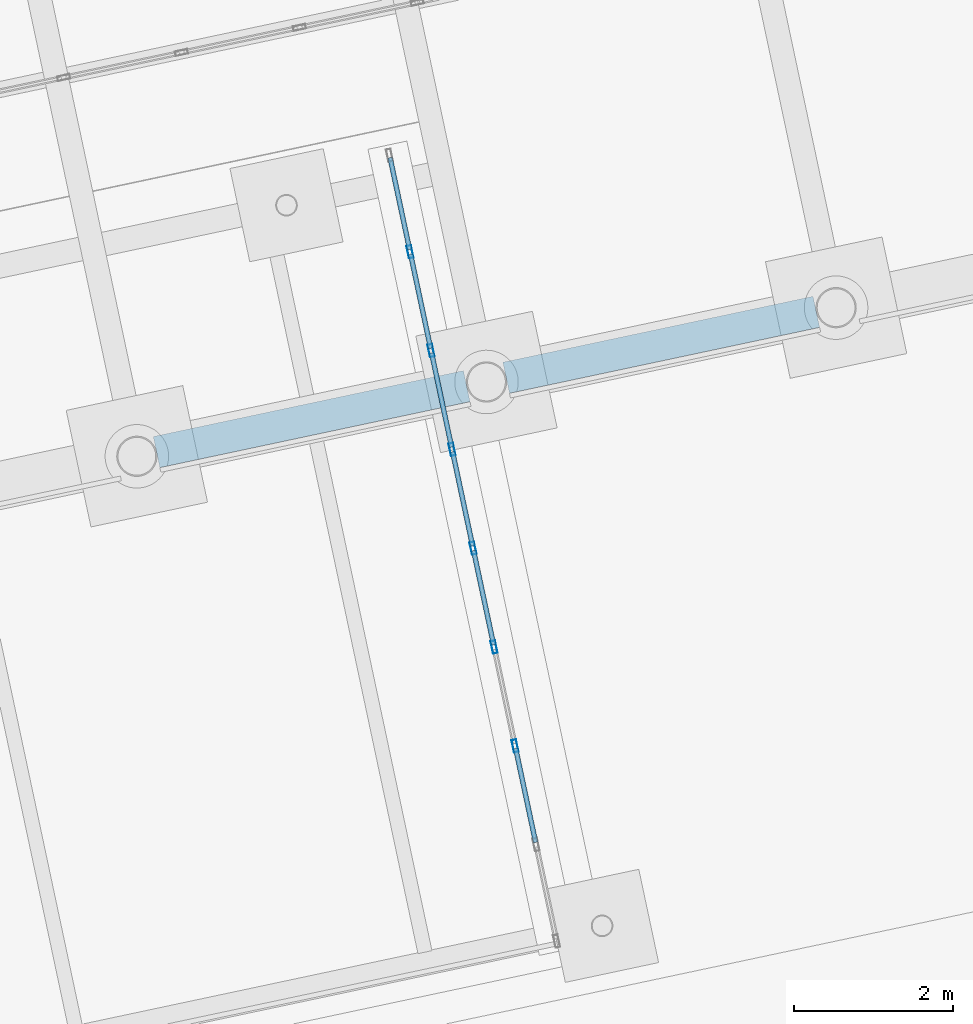
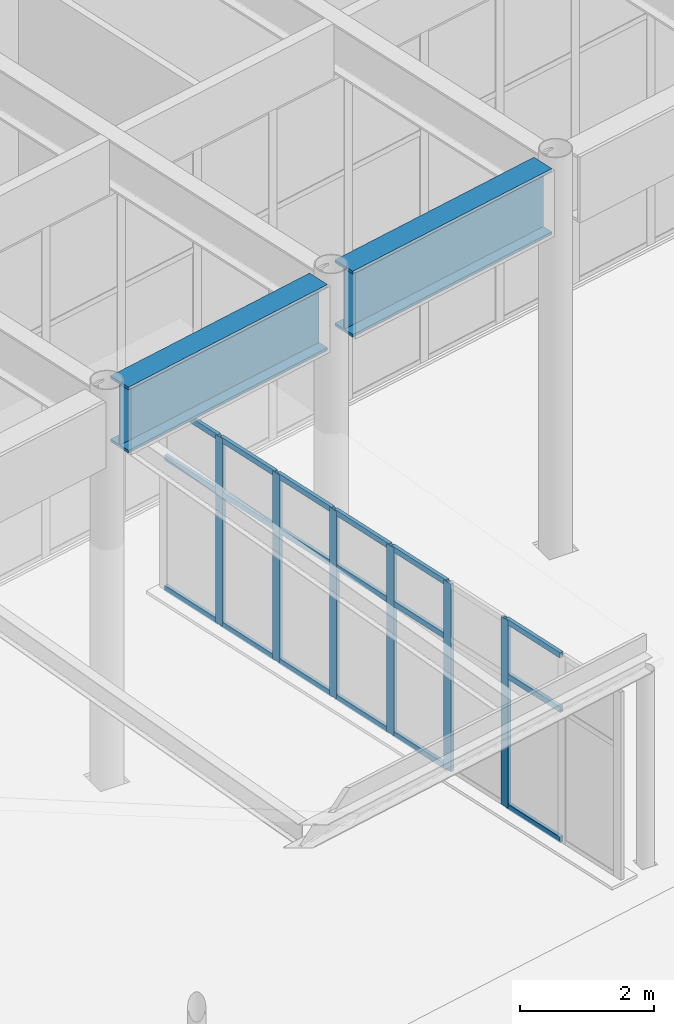
# One storey, part 80 of 239: 24 members, 2 beams, 1 element without a shape of its own.
"""IFC4 building model written with IfcOpenShell, lengths in metres."""

from ifc_helpers import new_model, si_unit, direction, frame, origin, origin_2d, place, context, subcontext, project, spatial, hollow_rectangle, i_section, extrude, material, material_profile, profile_set, type_object, element, aggregate, save


model = new_model("IFC4")

# Units and contexts
model_context = context("Model", 3, precision=1e-05, world=origin(), true_north=direction((0.0, 1.0)))
body_context = subcontext(model_context, "Body", "Model", "MODEL_VIEW")
ifc_project = project(units=[si_unit("LENGTHUNIT", "METRE"), si_unit("AREAUNIT", "SQUARE_METRE"), si_unit("VOLUMEUNIT", "CUBIC_METRE"), si_unit("PLANEANGLEUNIT", "RADIAN"), si_unit("MASSUNIT", "GRAM", prefix="KILO")], contexts=[model_context])

# Site, building, storey
site_placement = place(None, origin())
site = spatial("IfcSite", under=ifc_project, at=site_placement, CompositionType="ELEMENT")
building_placement = place(site_placement, origin())
building = spatial("IfcBuilding", under=site, at=building_placement, Name="Okhra Congress Centre", CompositionType="ELEMENT")
storey_placement = place(building_placement, origin())
storey = spatial("IfcBuildingStorey", under=building, at=storey_placement, Name="L00", CompositionType="ELEMENT", Elevation=0.0)

# Curtain wall, members
ifc_material_1 = material(Name="Aluminium curtain wall, triple glazing", Category="aluminium")
curtain_wall_type = type_object("IfcCurtainWallType", Name="Curtain wall 1200 module", PredefinedType="NOTDEFINED", material=ifc_material_1)
curtain_wall_placement = place(storey_placement, origin())
curtain_wall = element("IfcCurtainWall", 1, at=curtain_wall_placement, inside=storey, type_object=curtain_wall_type, Name="Porch glazed side 2", PredefinedType="NOTDEFINED")
ifc_material_2 = material(Name="Aluminium alloy EN AW-6063 T66", Category="aluminium")
ifc_material_profile_1 = material_profile(ifc_material_2, hollow_rectangle(XDim=0.06005859375, YDim=0.159912109375, WallThickness=0.00390625, at=origin_2d()), Name="RHS 60x160x4")
ifc_profile_set_1 = profile_set([ifc_material_profile_1], Name="Aluminium alloy EN AW-6063 T66")
member_type_1 = type_object("IfcMemberType", Name="Curtain wall mullion 60x160", PredefinedType="MULLION", material=ifc_profile_set_1)
member_1_placement = place(storey_placement, frame((158.2080078125, 42.81103515625, 0.0), z_axis=(0.0, 0.0, 1.0), x_axis=(-0.978147600734, -0.207911690818, 0.0)))
member_1 = element("IfcMember", 2, at=member_1_placement, type_object=member_type_1, Name="CW8 mullion 3", PredefinedType="MULLION", context=body_context, shape_type="SweptSolid", body=[
    extrude(hollow_rectangle(XDim=0.06005859375, YDim=0.159912109375, WallThickness=0.00390625, at=origin_2d()), origin(), (0.0, 0.0, 1.0), 3.415771484375),
])
member_2_placement = place(storey_placement, frame((157.943603515625, 44.05517578125, 0.0), z_axis=(0.0, 0.0, 1.0), x_axis=(-0.978147600734, -0.207911690818, 0.0)))
member_2 = element("IfcMember", 3, at=member_2_placement, type_object=member_type_1, Name="CW8 mullion 4", PredefinedType="MULLION", context=body_context, shape_type="SweptSolid", body=[
    extrude(hollow_rectangle(XDim=0.06005859375, YDim=0.159912109375, WallThickness=0.00390625, at=origin_2d()), origin(), (0.0, 0.0, 1.0), 3.415771484375),
])
member_3_placement = place(storey_placement, frame((157.67919921875, 45.29931640625, 0.0), z_axis=(0.0, 0.0, 1.0), x_axis=(-0.978147600734, -0.207911690818, 0.0)))
member_3 = element("IfcMember", 4, at=member_3_placement, type_object=member_type_1, Name="CW8 mullion 5", PredefinedType="MULLION", context=body_context, shape_type="SweptSolid", body=[
    extrude(hollow_rectangle(XDim=0.06005859375, YDim=0.159912109375, WallThickness=0.00390625, at=origin_2d()), origin(), (0.0, 0.0, 1.0), 3.415771484375),
])
member_4_placement = place(storey_placement, frame((157.414794921875, 46.543212890625, 0.0), z_axis=(0.0, 0.0, 1.0), x_axis=(-0.978147600734, -0.207911690818, 0.0)))
member_4 = element("IfcMember", 5, at=member_4_placement, type_object=member_type_1, Name="CW8 mullion 6", PredefinedType="MULLION", context=body_context, shape_type="SweptSolid", body=[
    extrude(hollow_rectangle(XDim=0.06005859375, YDim=0.159912109375, WallThickness=0.00390625, at=origin_2d()), origin(), (0.0, 0.0, 1.0), 3.415771484375),
])
member_5_placement = place(storey_placement, frame((157.150146484375, 47.787353515625, 0.0), z_axis=(0.0, 0.0, 1.0), x_axis=(-0.978147600734, -0.207911690818, 0.0)))
member_5 = element("IfcMember", 6, at=member_5_placement, type_object=member_type_1, Name="CW8 mullion 7", PredefinedType="MULLION", context=body_context, shape_type="SweptSolid", body=[
    extrude(hollow_rectangle(XDim=0.06005859375, YDim=0.159912109375, WallThickness=0.00390625, at=origin_2d()), origin(), (0.0, 0.0, 1.0), 3.415771484375),
])
member_6_placement = place(storey_placement, frame((156.8857421875, 49.031494140625, 0.0), z_axis=(0.0, 0.0, 1.0), x_axis=(-0.978147600734, -0.207911690818, 0.0)))
member_6 = element("IfcMember", 7, at=member_6_placement, type_object=member_type_1, Name="CW8 mullion 8", PredefinedType="MULLION", context=body_context, shape_type="SweptSolid", body=[
    extrude(hollow_rectangle(XDim=0.06005859375, YDim=0.159912109375, WallThickness=0.00390625, at=origin_2d()), origin(), (0.0, 0.0, 1.0), 3.415771484375),
])
ifc_material_profile_2 = material_profile(ifc_material_2, hollow_rectangle(XDim=0.06005859375, YDim=0.10009765625, WallThickness=0.00390625, at=origin_2d()), Name="RHS 60x100x4")
ifc_profile_set_2 = profile_set([ifc_material_profile_2], Name="Aluminium alloy EN AW-6063 T66")
member_type_2 = type_object("IfcMemberType", Name="Curtain wall transom 60x100", PredefinedType="USERDEFINED", material=ifc_profile_set_2)
member_7_placement = place(storey_placement, frame((158.46630859375, 41.596435546875, 0.030029296875), z_axis=(-0.207918995191, 0.978146048113, 0.0), x_axis=(-0.978146048113, -0.207918995191, 0.0)))
member_7 = element("IfcMember", 8, at=member_7_placement, type_object=member_type_2, Name="CW8 transom 2.1", ObjectType="TRANSOM", PredefinedType="USERDEFINED", context=body_context, shape_type="SweptSolid", body=[
    extrude(hollow_rectangle(XDim=0.06005859375, YDim=0.10009765625, WallThickness=0.00390625, at=origin_2d()), origin(), (0.0, 0.0, 1.0), 1.211669921875),
])
member_8_placement = place(storey_placement, frame((158.46630859375, 41.596435546875, 2.39990234375), z_axis=(-0.207918995191, 0.978146048113, 0.0), x_axis=(-0.978146048113, -0.207918995191, 0.0)))
member_8 = element("IfcMember", 9, at=member_8_placement, type_object=member_type_2, Name="CW8 transom 2.2", ObjectType="TRANSOM", PredefinedType="USERDEFINED", context=body_context, shape_type="SweptSolid", body=[
    extrude(hollow_rectangle(XDim=0.06005859375, YDim=0.10009765625, WallThickness=0.00390625, at=origin_2d()), origin(), (0.0, 0.0, 1.0), 1.211669921875),
])
member_9_placement = place(storey_placement, frame((158.46630859375, 41.596435546875, 3.3857421875), z_axis=(-0.207918995191, 0.978146048113, 0.0), x_axis=(-0.978146048113, -0.207918995191, 0.0)))
member_9 = element("IfcMember", 10, at=member_9_placement, type_object=member_type_2, Name="CW8 transom 2.3", ObjectType="TRANSOM", PredefinedType="USERDEFINED", context=body_context, shape_type="SweptSolid", body=[
    extrude(hollow_rectangle(XDim=0.06005859375, YDim=0.10009765625, WallThickness=0.00390625, at=origin_2d()), origin(), (0.0, 0.0, 1.0), 1.211669921875),
])
member_10_placement = place(storey_placement, frame((157.937255859375, 44.08447265625, 0.030029296875), z_axis=(-0.207918995191, 0.978146048113, 0.0), x_axis=(-0.978146048113, -0.207918995191, 0.0)))
member_10 = element("IfcMember", 11, at=member_10_placement, type_object=member_type_2, Name="CW8 transom 4.1", ObjectType="TRANSOM", PredefinedType="USERDEFINED", context=body_context, shape_type="SweptSolid", body=[
    extrude(hollow_rectangle(XDim=0.06005859375, YDim=0.10009765625, WallThickness=0.00390625, at=origin_2d()), origin(), (0.0, 0.0, 1.0), 1.211669921875),
])
member_11_placement = place(storey_placement, frame((157.937255859375, 44.08447265625, 2.39990234375), z_axis=(-0.207918995191, 0.978146048113, 0.0), x_axis=(-0.978146048113, -0.207918995191, 0.0)))
member_11 = element("IfcMember", 12, at=member_11_placement, type_object=member_type_2, Name="CW8 transom 4.2", ObjectType="TRANSOM", PredefinedType="USERDEFINED", context=body_context, shape_type="SweptSolid", body=[
    extrude(hollow_rectangle(XDim=0.06005859375, YDim=0.10009765625, WallThickness=0.00390625, at=origin_2d()), origin(), (0.0, 0.0, 1.0), 1.211669921875),
])
member_12_placement = place(storey_placement, frame((157.937255859375, 44.08447265625, 3.3857421875), z_axis=(-0.207918995191, 0.978146048113, 0.0), x_axis=(-0.978146048113, -0.207918995191, 0.0)))
member_12 = element("IfcMember", 13, at=member_12_placement, type_object=member_type_2, Name="CW8 transom 4.3", ObjectType="TRANSOM", PredefinedType="USERDEFINED", context=body_context, shape_type="SweptSolid", body=[
    extrude(hollow_rectangle(XDim=0.06005859375, YDim=0.10009765625, WallThickness=0.00390625, at=origin_2d()), origin(), (0.0, 0.0, 1.0), 1.211669921875),
])
member_13_placement = place(storey_placement, frame((157.6728515625, 45.32861328125, 0.030029296875), z_axis=(-0.207918995191, 0.978146048113, 0.0), x_axis=(-0.978146048113, -0.207918995191, 0.0)))
member_13 = element("IfcMember", 14, at=member_13_placement, type_object=member_type_2, Name="CW8 transom 5.1", ObjectType="TRANSOM", PredefinedType="USERDEFINED", context=body_context, shape_type="SweptSolid", body=[
    extrude(hollow_rectangle(XDim=0.06005859375, YDim=0.10009765625, WallThickness=0.00390625, at=origin_2d()), origin(), (0.0, 0.0, 1.0), 1.211669921875),
])
member_14_placement = place(storey_placement, frame((157.6728515625, 45.32861328125, 2.39990234375), z_axis=(-0.207918995191, 0.978146048113, 0.0), x_axis=(-0.978146048113, -0.207918995191, 0.0)))
member_14 = element("IfcMember", 15, at=member_14_placement, type_object=member_type_2, Name="CW8 transom 5.2", ObjectType="TRANSOM", PredefinedType="USERDEFINED", context=body_context, shape_type="SweptSolid", body=[
    extrude(hollow_rectangle(XDim=0.06005859375, YDim=0.10009765625, WallThickness=0.00390625, at=origin_2d()), origin(), (0.0, 0.0, 1.0), 1.211669921875),
])
member_15_placement = place(storey_placement, frame((157.6728515625, 45.32861328125, 3.3857421875), z_axis=(-0.207918995191, 0.978146048113, 0.0), x_axis=(-0.978146048113, -0.207918995191, 0.0)))
member_15 = element("IfcMember", 16, at=member_15_placement, type_object=member_type_2, Name="CW8 transom 5.3", ObjectType="TRANSOM", PredefinedType="USERDEFINED", context=body_context, shape_type="SweptSolid", body=[
    extrude(hollow_rectangle(XDim=0.06005859375, YDim=0.10009765625, WallThickness=0.00390625, at=origin_2d()), origin(), (0.0, 0.0, 1.0), 1.211669921875),
])
member_16_placement = place(storey_placement, frame((157.408447265625, 46.57275390625, 0.030029296875), z_axis=(-0.207918995191, 0.978146048113, 0.0), x_axis=(-0.978146048113, -0.207918995191, 0.0)))
member_16 = element("IfcMember", 17, at=member_16_placement, type_object=member_type_2, Name="CW8 transom 6.1", ObjectType="TRANSOM", PredefinedType="USERDEFINED", context=body_context, shape_type="SweptSolid", body=[
    extrude(hollow_rectangle(XDim=0.06005859375, YDim=0.10009765625, WallThickness=0.00390625, at=origin_2d()), origin(), (0.0, 0.0, 1.0), 1.211669921875),
])
member_17_placement = place(storey_placement, frame((157.408447265625, 46.57275390625, 2.39990234375), z_axis=(-0.207918995191, 0.978146048113, 0.0), x_axis=(-0.978146048113, -0.207918995191, 0.0)))
member_17 = element("IfcMember", 18, at=member_17_placement, type_object=member_type_2, Name="CW8 transom 6.2", ObjectType="TRANSOM", PredefinedType="USERDEFINED", context=body_context, shape_type="SweptSolid", body=[
    extrude(hollow_rectangle(XDim=0.06005859375, YDim=0.10009765625, WallThickness=0.00390625, at=origin_2d()), origin(), (0.0, 0.0, 1.0), 1.211669921875),
])
member_18_placement = place(storey_placement, frame((157.408447265625, 46.57275390625, 3.3857421875), z_axis=(-0.207918995191, 0.978146048113, 0.0), x_axis=(-0.978146048113, -0.207918995191, 0.0)))
member_18 = element("IfcMember", 19, at=member_18_placement, type_object=member_type_2, Name="CW8 transom 6.3", ObjectType="TRANSOM", PredefinedType="USERDEFINED", context=body_context, shape_type="SweptSolid", body=[
    extrude(hollow_rectangle(XDim=0.06005859375, YDim=0.10009765625, WallThickness=0.00390625, at=origin_2d()), origin(), (0.0, 0.0, 1.0), 1.211669921875),
])
member_19_placement = place(storey_placement, frame((157.14404296875, 47.816650390625, 0.030029296875), z_axis=(-0.207878028706, 0.978154755231, 0.0), x_axis=(-0.978154755231, -0.207878028706, 0.0)))
member_19 = element("IfcMember", 20, at=member_19_placement, type_object=member_type_2, Name="CW8 transom 7.1", ObjectType="TRANSOM", PredefinedType="USERDEFINED", context=body_context, shape_type="SweptSolid", body=[
    extrude(hollow_rectangle(XDim=0.06005859375, YDim=0.10009765625, WallThickness=0.00390625, at=origin_2d()), origin(), (0.0, 0.0, 1.0), 1.2119140625),
])
member_20_placement = place(storey_placement, frame((157.14404296875, 47.816650390625, 2.39990234375), z_axis=(-0.207878028706, 0.978154755231, 0.0), x_axis=(-0.978154755231, -0.207878028706, 0.0)))
member_20 = element("IfcMember", 21, at=member_20_placement, type_object=member_type_2, Name="CW8 transom 7.2", ObjectType="TRANSOM", PredefinedType="USERDEFINED", context=body_context, shape_type="SweptSolid", body=[
    extrude(hollow_rectangle(XDim=0.06005859375, YDim=0.10009765625, WallThickness=0.00390625, at=origin_2d()), origin(), (0.0, 0.0, 1.0), 1.2119140625),
])
member_21_placement = place(storey_placement, frame((157.14404296875, 47.816650390625, 3.3857421875), z_axis=(-0.207878028706, 0.978154755231, 0.0), x_axis=(-0.978154755231, -0.207878028706, 0.0)))
member_21 = element("IfcMember", 22, at=member_21_placement, type_object=member_type_2, Name="CW8 transom 7.3", ObjectType="TRANSOM", PredefinedType="USERDEFINED", context=body_context, shape_type="SweptSolid", body=[
    extrude(hollow_rectangle(XDim=0.06005859375, YDim=0.10009765625, WallThickness=0.00390625, at=origin_2d()), origin(), (0.0, 0.0, 1.0), 1.2119140625),
])
member_22_placement = place(storey_placement, frame((156.879638671875, 49.060791015625, 0.030029296875), z_axis=(-0.208019342241, 0.978124712526, 0.0), x_axis=(-0.978124712526, -0.208019342241, 0.0)))
member_22 = element("IfcMember", 23, at=member_22_placement, type_object=member_type_2, Name="CW8 transom 8.1", ObjectType="TRANSOM", PredefinedType="USERDEFINED", context=body_context, shape_type="SweptSolid", body=[
    extrude(hollow_rectangle(XDim=0.06005859375, YDim=0.10009765625, WallThickness=0.00390625, at=origin_2d()), origin(), (0.0, 0.0, 1.0), 1.181884765625),
])
member_23_placement = place(storey_placement, frame((156.879638671875, 49.060791015625, 2.39990234375), z_axis=(-0.208019342241, 0.978124712526, 0.0), x_axis=(-0.978124712526, -0.208019342241, 0.0)))
member_23 = element("IfcMember", 24, at=member_23_placement, type_object=member_type_2, Name="CW8 transom 8.2", ObjectType="TRANSOM", PredefinedType="USERDEFINED", context=body_context, shape_type="SweptSolid", body=[
    extrude(hollow_rectangle(XDim=0.06005859375, YDim=0.10009765625, WallThickness=0.00390625, at=origin_2d()), origin(), (0.0, 0.0, 1.0), 1.181884765625),
])
member_24_placement = place(storey_placement, frame((156.879638671875, 49.060791015625, 3.3857421875), z_axis=(-0.208019342241, 0.978124712526, 0.0), x_axis=(-0.978124712526, -0.208019342241, 0.0)))
member_24 = element("IfcMember", 25, at=member_24_placement, type_object=member_type_2, Name="CW8 transom 8.3", ObjectType="TRANSOM", PredefinedType="USERDEFINED", context=body_context, shape_type="SweptSolid", body=[
    extrude(hollow_rectangle(XDim=0.06005859375, YDim=0.10009765625, WallThickness=0.00390625, at=origin_2d()), origin(), (0.0, 0.0, 1.0), 1.181884765625),
])
aggregate(curtain_wall, [member_1, member_2, member_3, member_4, member_5, member_6, member_7, member_8, member_9, member_10, member_11, member_12, member_13, member_14, member_15, member_16, member_17, member_18, member_19, member_20, member_21, member_22, member_23, member_24])

# Beams
ifc_material_3 = material(Name="Steel S355J2", Category="steel")
ifc_material_profile_3 = material_profile(ifc_material_3, i_section(OverallWidth=0.39990234375, OverallDepth=1.199951171875, WebThickness=0.02490234375, FlangeThickness=0.050048828125, at=origin_2d()), Name="Plate girder 1200x400")
ifc_profile_set_3 = profile_set([ifc_material_profile_3], Name="Steel S355J2")
beam_type = type_object("IfcBeamType", Name="Perimeter plate girder 1200x400", PredefinedType="BEAM", material=ifc_profile_set_3)
for number, where, z_axis, x_axis, name in (
    (26, (153.6943359375, 46.509765625, 6.449951171875), (0.978155431297, 0.207874847504, 0.0), (-0.207874847504, 0.978155431297, 0.0), "Perimeter girder S19"),
    (27, (158.095947265625, 47.4453125, 6.449951171875), (0.978142994281, 0.207933361295, 0.0), (-0.207933361295, 0.978142994281, 0.0), "Perimeter girder S20"),
):
    element("IfcBeam", number, at=place(storey_placement, frame(where, z_axis=z_axis, x_axis=x_axis)), inside=storey, type_object=beam_type, Name=name, PredefinedType="BEAM", context=body_context, shape_type="SweptSolid", body=[
        extrude(i_section(OverallWidth=0.39990234375, OverallDepth=1.199951171875, WebThickness=0.02490234375, FlangeThickness=0.050048828125, at=origin_2d()), origin(), (0.0, 0.0, 1.0), 3.991943359375),
    ])

save(model, "model.ifc")
